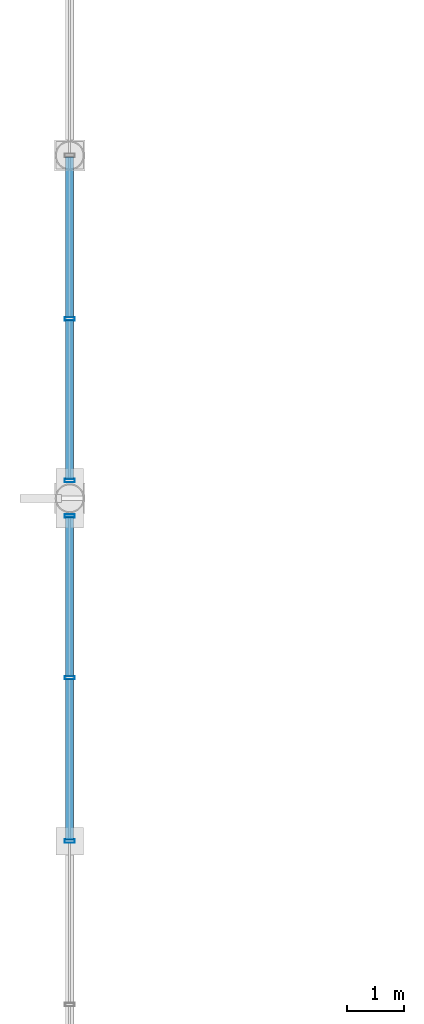
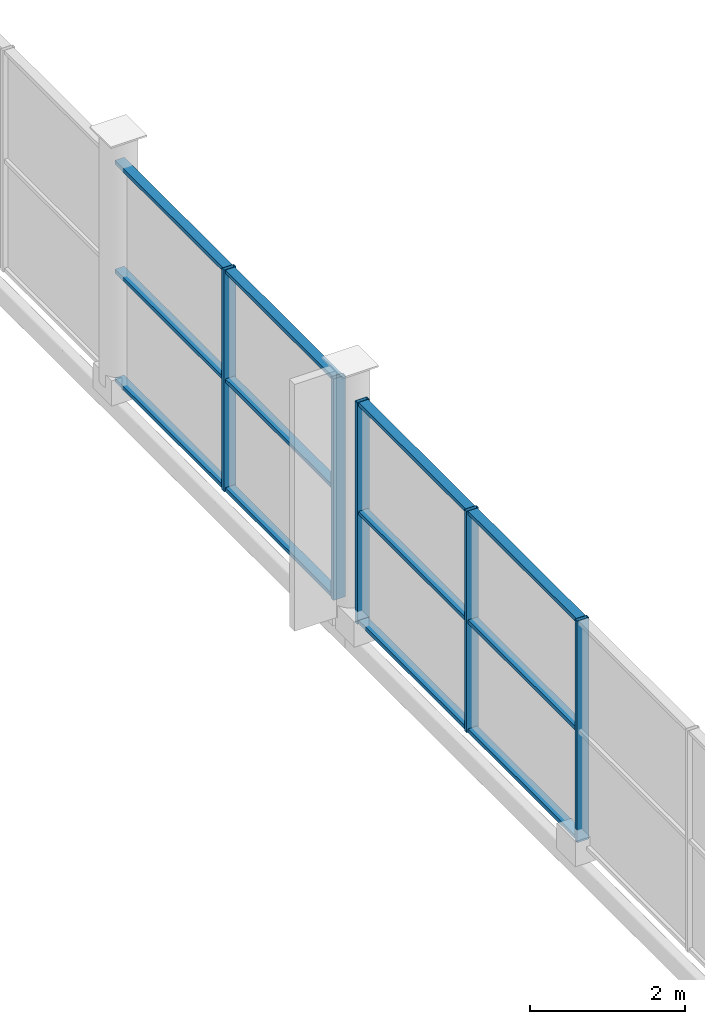
# One storey, part 33 of 117: 17 members, 2 elements without a shape of their own.
"""IFC4 building model written with IfcOpenShell, lengths in metres."""

from ifc_helpers import new_model, si_unit, direction, frame, origin, origin_2d, place, context, subcontext, project, spatial, hollow_rectangle, extrude, material, material_profile, profile_set, type_object, element, aggregate, save


model = new_model("IFC4")

# Units and contexts
model_context = context("Model", 3, precision=1e-05, world=origin(), true_north=direction((0.0, 1.0)))
body_context = subcontext(model_context, "Body", "Model", "MODEL_VIEW")
ifc_project = project(units=[si_unit("LENGTHUNIT", "METRE"), si_unit("AREAUNIT", "SQUARE_METRE"), si_unit("VOLUMEUNIT", "CUBIC_METRE"), si_unit("PLANEANGLEUNIT", "RADIAN"), si_unit("MASSUNIT", "GRAM", prefix="KILO")], contexts=[model_context])

# Site, building, storey
site_placement = place(None, origin())
site = spatial("IfcSite", under=ifc_project, at=site_placement, CompositionType="ELEMENT")
building_placement = place(site_placement, origin())
building = spatial("IfcBuilding", under=site, at=building_placement, Name="Merenkruunu Market Hall", CompositionType="ELEMENT")
storey_placement = place(building_placement, frame((0.0, 0.0, 10.199951171875)))
storey = spatial("IfcBuildingStorey", under=building, at=storey_placement, Name="L02", CompositionType="ELEMENT", Elevation=10.199951171875)

# Curtain wall, members
ifc_material = material(Name="Powder-coated aluminium", Category="aluminium")
curtain_wall_type = type_object("IfcCurtainWallType", Name="Glazed Curtain Wall CW13", PredefinedType="USERDEFINED", material=ifc_material)
curtain_wall_1_placement = place(storey_placement, origin())
curtain_wall_1 = element("IfcCurtainWall", 1, at=curtain_wall_1_placement, inside=storey, type_object=curtain_wall_type, Name="CW-L02-CWM02-006", ObjectType="GLAZED_FACADE", PredefinedType="USERDEFINED")
ifc_material_profile_1 = material_profile(ifc_material, hollow_rectangle(XDim=0.06005859375, YDim=0.179931640625, WallThickness=0.00390625, at=origin_2d()), Name="ALU 60x180x4")
ifc_profile_set_1 = profile_set([ifc_material_profile_1], Name="Powder-coated aluminium")
member_type_1 = type_object("IfcMemberType", Name="Curtain Wall Mullion CWM02", PredefinedType="MULLION", material=ifc_profile_set_1)
member_1_placement = place(storey_placement, frame((0.0, 33.60009765625, 0.0), z_axis=(0.0, 0.0, 1.0), x_axis=(0.0, 1.0, 0.0)))
member_1 = element("IfcMember", 2, at=member_1_placement, type_object=member_type_1, Name="CW13 mullion 3", PredefinedType="MULLION", context=body_context, shape_type="SweptSolid", body=[
    extrude(hollow_rectangle(XDim=0.06005859375, YDim=0.179931640625, WallThickness=0.00390625, at=origin_2d()), origin(), (0.0, 0.0, 1.0), 3.5),
])
member_2_placement = place(storey_placement, frame((0.0, 36.4599609375, 0.0), z_axis=(0.0, 0.0, 1.0), x_axis=(0.0, 1.0, 0.0)))
member_2 = element("IfcMember", 3, at=member_2_placement, type_object=member_type_1, Name="CW13 mullion 4", PredefinedType="MULLION", context=body_context, shape_type="SweptSolid", body=[
    extrude(hollow_rectangle(XDim=0.06005859375, YDim=0.179931640625, WallThickness=0.00390625, at=origin_2d()), origin(), (0.0, 0.0, 1.0), 3.5),
])
member_3_placement = place(storey_placement, frame((0.0, 39.2900390625, 0.0), z_axis=(0.0, 0.0, 1.0), x_axis=(0.0, 1.0, 0.0)))
member_3 = element("IfcMember", 4, at=member_3_placement, type_object=member_type_1, Name="CW13 mullion 5", PredefinedType="MULLION", context=body_context, shape_type="SweptSolid", body=[
    extrude(hollow_rectangle(XDim=0.06005859375, YDim=0.179931640625, WallThickness=0.00390625, at=origin_2d()), origin(), (0.0, 0.0, 1.0), 3.5),
])

curtain_wall_2_placement = place(storey_placement, origin())
curtain_wall_2 = element("IfcCurtainWall", 5, at=curtain_wall_2_placement, inside=storey, type_object=curtain_wall_type, Name="CW-L02-CWM02-009", ObjectType="GLAZED_FACADE", PredefinedType="USERDEFINED")
member_4_placement = place(storey_placement, frame((0.0, 39.909912109375, 0.0), z_axis=(0.0, 0.0, 1.0), x_axis=(0.0, 1.0, 0.0)))
member_4 = element("IfcMember", 6, at=member_4_placement, type_object=member_type_1, Name="CW13 mullion 1", PredefinedType="MULLION", context=body_context, shape_type="SweptSolid", body=[
    extrude(hollow_rectangle(XDim=0.06005859375, YDim=0.179931640625, WallThickness=0.00390625, at=origin_2d()), origin(), (0.0, 0.0, 1.0), 3.5),
])
member_5_placement = place(storey_placement, frame((0.0, 42.739990234375, 0.0), z_axis=(0.0, 0.0, 1.0), x_axis=(0.0, 1.0, 0.0)))
member_5 = element("IfcMember", 7, at=member_5_placement, type_object=member_type_1, Name="CW13 mullion 2", PredefinedType="MULLION", context=body_context, shape_type="SweptSolid", body=[
    extrude(hollow_rectangle(XDim=0.06005859375, YDim=0.179931640625, WallThickness=0.00390625, at=origin_2d()), origin(), (0.0, 0.0, 1.0), 3.5),
])

# Member
ifc_material_profile_2 = material_profile(ifc_material, hollow_rectangle(XDim=0.06005859375, YDim=0.139892578125, WallThickness=0.00390625, at=origin_2d()), Name="ALU 60x140x4")
ifc_profile_set_2 = profile_set([ifc_material_profile_2], Name="Powder-coated aluminium")
member_type_2 = type_object("IfcMemberType", Name="Curtain Wall Transom CWT02", PredefinedType="USERDEFINED", material=ifc_profile_set_2)
member_6_placement = place(storey_placement, frame((0.0, 33.6298828125, 0.030029296875), z_axis=(0.0, 1.0, 0.0), x_axis=(0.0, 0.0, 1.0)))
member_6 = element("IfcMember", 8, at=member_6_placement, type_object=member_type_2, Name="CW13 transom 3.1", ObjectType="TRANSOM", PredefinedType="USERDEFINED", context=body_context, shape_type="SweptSolid", body=[
    extrude(hollow_rectangle(XDim=0.06005859375, YDim=0.139892578125, WallThickness=0.00390625, at=origin_2d()), origin(), (0.0, 0.0, 1.0), 2.800048828125),
])

member_7_placement = place(storey_placement, frame((0.0, 33.6298828125, 1.75), z_axis=(0.0, 1.0, 0.0), x_axis=(0.0, 0.0, 1.0)))
member_7 = element("IfcMember", 9, at=member_7_placement, type_object=member_type_2, Name="CW13 transom 3.2", ObjectType="TRANSOM", PredefinedType="USERDEFINED", context=body_context, shape_type="SweptSolid", body=[
    extrude(hollow_rectangle(XDim=0.06005859375, YDim=0.139892578125, WallThickness=0.00390625, at=origin_2d()), origin(), (0.0, 0.0, 1.0), 2.800048828125),
])

member_8_placement = place(storey_placement, frame((0.0, 33.6298828125, 3.469970703125), z_axis=(0.0, 1.0, 0.0), x_axis=(0.0, 0.0, 1.0)))
member_8 = element("IfcMember", 10, at=member_8_placement, type_object=member_type_2, Name="CW13 transom 3.3", ObjectType="TRANSOM", PredefinedType="USERDEFINED", context=body_context, shape_type="SweptSolid", body=[
    extrude(hollow_rectangle(XDim=0.06005859375, YDim=0.139892578125, WallThickness=0.00390625, at=origin_2d()), origin(), (0.0, 0.0, 1.0), 2.800048828125),
])

member_9_placement = place(storey_placement, frame((0.0, 36.489990234375, 0.030029296875), z_axis=(0.0, 1.0, 0.0), x_axis=(0.0, 0.0, 1.0)))
member_9 = element("IfcMember", 11, at=member_9_placement, type_object=member_type_2, Name="CW13 transom 4.1", ObjectType="TRANSOM", PredefinedType="USERDEFINED", context=body_context, shape_type="SweptSolid", body=[
    extrude(hollow_rectangle(XDim=0.06005859375, YDim=0.139892578125, WallThickness=0.00390625, at=origin_2d()), origin(), (0.0, 0.0, 1.0), 2.77001953125),
])

member_10_placement = place(storey_placement, frame((0.0, 36.489990234375, 1.75), z_axis=(0.0, 1.0, 0.0), x_axis=(0.0, 0.0, 1.0)))
member_10 = element("IfcMember", 12, at=member_10_placement, type_object=member_type_2, Name="CW13 transom 4.2", ObjectType="TRANSOM", PredefinedType="USERDEFINED", context=body_context, shape_type="SweptSolid", body=[
    extrude(hollow_rectangle(XDim=0.06005859375, YDim=0.139892578125, WallThickness=0.00390625, at=origin_2d()), origin(), (0.0, 0.0, 1.0), 2.77001953125),
])

member_11_placement = place(storey_placement, frame((0.0, 36.489990234375, 3.469970703125), z_axis=(0.0, 1.0, 0.0), x_axis=(0.0, 0.0, 1.0)))
member_11 = element("IfcMember", 13, at=member_11_placement, type_object=member_type_2, Name="CW13 transom 4.3", ObjectType="TRANSOM", PredefinedType="USERDEFINED", context=body_context, shape_type="SweptSolid", body=[
    extrude(hollow_rectangle(XDim=0.06005859375, YDim=0.139892578125, WallThickness=0.00390625, at=origin_2d()), origin(), (0.0, 0.0, 1.0), 2.77001953125),
])

aggregate(curtain_wall_1, [member_1, member_2, member_3, member_6, member_7, member_8, member_9, member_10, member_11])

member_12_placement = place(storey_placement, frame((0.0, 39.93994140625, 0.030029296875), z_axis=(0.0, 1.0, 0.0), x_axis=(0.0, 0.0, 1.0)))
member_12 = element("IfcMember", 14, at=member_12_placement, type_object=member_type_2, Name="CW13 transom 1.1", ObjectType="TRANSOM", PredefinedType="USERDEFINED", context=body_context, shape_type="SweptSolid", body=[
    extrude(hollow_rectangle(XDim=0.06005859375, YDim=0.139892578125, WallThickness=0.00390625, at=origin_2d()), origin(), (0.0, 0.0, 1.0), 2.77001953125),
])

member_13_placement = place(storey_placement, frame((0.0, 39.93994140625, 1.75), z_axis=(0.0, 1.0, 0.0), x_axis=(0.0, 0.0, 1.0)))
member_13 = element("IfcMember", 15, at=member_13_placement, type_object=member_type_2, Name="CW13 transom 1.2", ObjectType="TRANSOM", PredefinedType="USERDEFINED", context=body_context, shape_type="SweptSolid", body=[
    extrude(hollow_rectangle(XDim=0.06005859375, YDim=0.139892578125, WallThickness=0.00390625, at=origin_2d()), origin(), (0.0, 0.0, 1.0), 2.77001953125),
])

member_14_placement = place(storey_placement, frame((0.0, 39.93994140625, 3.469970703125), z_axis=(0.0, 1.0, 0.0), x_axis=(0.0, 0.0, 1.0)))
member_14 = element("IfcMember", 16, at=member_14_placement, type_object=member_type_2, Name="CW13 transom 1.3", ObjectType="TRANSOM", PredefinedType="USERDEFINED", context=body_context, shape_type="SweptSolid", body=[
    extrude(hollow_rectangle(XDim=0.06005859375, YDim=0.139892578125, WallThickness=0.00390625, at=origin_2d()), origin(), (0.0, 0.0, 1.0), 2.77001953125),
])

member_15_placement = place(storey_placement, frame((0.0, 42.77001953125, 0.030029296875), z_axis=(0.0, 1.0, 0.0), x_axis=(0.0, 0.0, 1.0)))
member_15 = element("IfcMember", 17, at=member_15_placement, type_object=member_type_2, Name="CW13 transom 2.1", ObjectType="TRANSOM", PredefinedType="USERDEFINED", context=body_context, shape_type="SweptSolid", body=[
    extrude(hollow_rectangle(XDim=0.06005859375, YDim=0.139892578125, WallThickness=0.00390625, at=origin_2d()), origin(), (0.0, 0.0, 1.0), 2.800048828125),
])

member_16_placement = place(storey_placement, frame((0.0, 42.77001953125, 1.75), z_axis=(0.0, 1.0, 0.0), x_axis=(0.0, 0.0, 1.0)))
member_16 = element("IfcMember", 18, at=member_16_placement, type_object=member_type_2, Name="CW13 transom 2.2", ObjectType="TRANSOM", PredefinedType="USERDEFINED", context=body_context, shape_type="SweptSolid", body=[
    extrude(hollow_rectangle(XDim=0.06005859375, YDim=0.139892578125, WallThickness=0.00390625, at=origin_2d()), origin(), (0.0, 0.0, 1.0), 2.800048828125),
])

member_17_placement = place(storey_placement, frame((0.0, 42.77001953125, 3.469970703125), z_axis=(0.0, 1.0, 0.0), x_axis=(0.0, 0.0, 1.0)))
member_17 = element("IfcMember", 19, at=member_17_placement, type_object=member_type_2, Name="CW13 transom 2.3", ObjectType="TRANSOM", PredefinedType="USERDEFINED", context=body_context, shape_type="SweptSolid", body=[
    extrude(hollow_rectangle(XDim=0.06005859375, YDim=0.139892578125, WallThickness=0.00390625, at=origin_2d()), origin(), (0.0, 0.0, 1.0), 2.800048828125),
])

aggregate(curtain_wall_2, [member_4, member_5, member_12, member_13, member_14, member_15, member_16, member_17])

save(model, "model.ifc")
